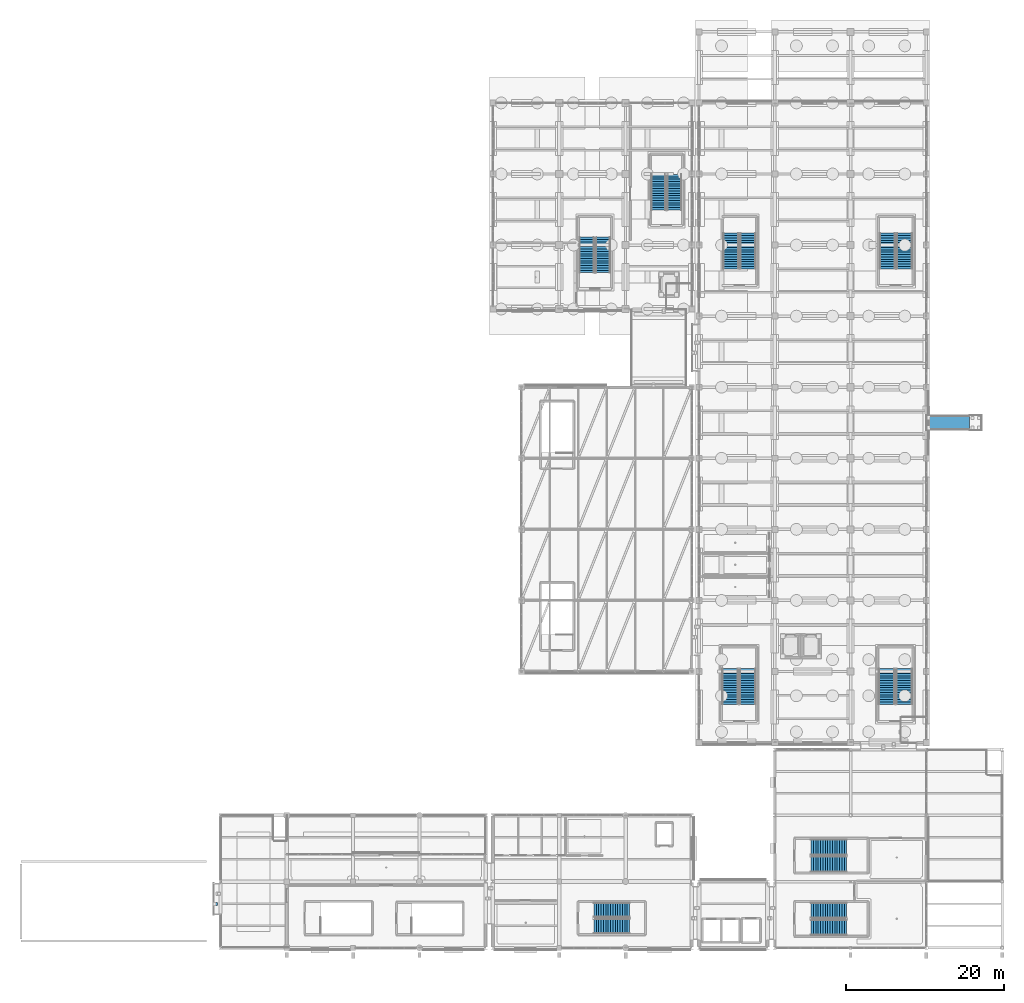
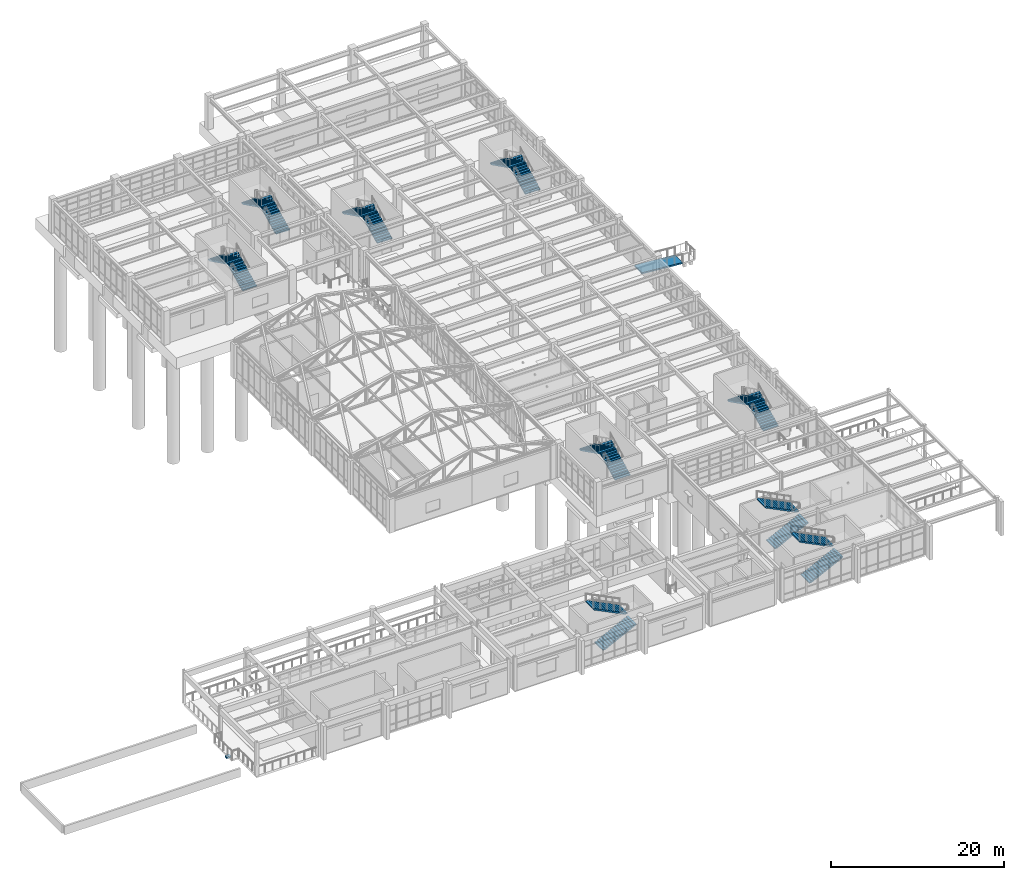
# One storey, part 116 of 139: 18 stair flights, 1 discrete accessory, 1 ramp flight, 10 elements without a shape of their own.
"""IFC4 building model written with IfcOpenShell, lengths in metres."""

from ifc_helpers import new_model, si_unit, direction, frame, origin, origin_2d, place, context, subcontext, project, spatial, polyline, rectangle, outline, extrude, material, layer, layer_set, type_object, element, aggregate, save


model = new_model("IFC4")

# Units and contexts
model_context = context("Model", 3, precision=1e-05, world=origin(), true_north=direction((0.0, 1.0)))
body_context = subcontext(model_context, "Body", "Model", "MODEL_VIEW")
ifc_project = project(units=[si_unit("LENGTHUNIT", "METRE"), si_unit("AREAUNIT", "SQUARE_METRE"), si_unit("VOLUMEUNIT", "CUBIC_METRE"), si_unit("PLANEANGLEUNIT", "RADIAN"), si_unit("MASSUNIT", "GRAM", prefix="KILO")], contexts=[model_context])

# Site, building, storey
site_placement = place(None, origin())
site = spatial("IfcSite", under=ifc_project, at=site_placement, CompositionType="ELEMENT")
building_placement = place(site_placement, origin())
building = spatial("IfcBuilding", under=site, at=building_placement, Name="Canglan Escarpment Cableway Terminal", CompositionType="ELEMENT")
storey_placement = place(building_placement, frame((0.0, 0.0, 14.39990234375)))
storey = spatial("IfcBuildingStorey", under=building, at=storey_placement, Name="L03", CompositionType="ELEMENT", Elevation=14.39990234375)

# Stair, stair flights
ifc_material_1 = material(Name="Concrete C40", Category="concrete")
stair_type_1 = type_object("IfcStairType", Name="STR-DOGLEG-1850", PredefinedType="HALF_TURN_STAIR", material=ifc_material_1)
stair_1_placement = place(storey_placement, origin())
stair_1 = element("IfcStair", 1, at=stair_1_placement, inside=storey, type_object=stair_type_1, Name="L03 Protected Exit Stair ST-18", PredefinedType="HALF_TURN_STAIR")
ifc_layer_1 = layer(ifc_material_1, 0.14990234375, Name="Concrete C40")
ifc_layer_set_1 = layer_set([ifc_layer_1], Name="Concrete C40")
stair_flight_type_1 = type_object("IfcStairFlightType", Name="SFL-STRAIGHT-1850", PredefinedType="STRAIGHT", material=ifc_layer_set_1)
stair_flight_1_placement = place(storey_placement, frame((134.47509765625, 101.449951171875, 0.0), z_axis=(0.0, 0.0, 1.0), x_axis=(0.0, 1.0, 0.0)))
stair_flight_1 = element("IfcStairFlight", 2, at=stair_flight_1_placement, type_object=stair_flight_type_1, Name="ST-18 flight 1", NumberOfRisers=16, NumberOfTreads=15, PredefinedType="STRAIGHT", RiserHeight=0.15, TreadLength=0.3, context=body_context, shape_type="SweptSolid", body=[
    extrude(outline(polyline([(0.0, 0.0), (0.0, 0.14990234375), (0.300048828125, 0.14990234375), (0.300048828125, 0.300048828125), (0.60009765625, 0.300048828125), (0.60009765625, 0.449951171875), (0.89990234375, 0.449951171875), (0.89990234375, 0.60009765625), (1.199951171875, 0.60009765625), (1.199951171875, 0.75), (1.5, 0.75), (1.5, 0.89990234375), (1.800048828125, 0.89990234375), (1.800048828125, 1.050048828125), (2.10009765625, 1.050048828125), (2.10009765625, 1.199951171875), (2.39990234375, 1.199951171875), (2.39990234375, 1.35009765625), (2.699951171875, 1.35009765625), (2.699951171875, 1.5), (3.0, 1.5), (3.0, 1.64990234375), (3.300048828125, 1.64990234375), (3.300048828125, 1.800048828125), (3.60009765625, 1.800048828125), (3.60009765625, 1.949951171875), (3.89990234375, 1.949951171875), (3.89990234375, 2.10009765625), (4.199951171875, 2.10009765625), (4.199951171875, 2.25), (4.5, 2.25), (4.5, 2.39990234375), (4.5, 2.08251953125), (0.335205078125, 0.0), (0.0, 0.0)])), frame((0.0, 0.925048828125, 0.0), z_axis=(0.0, -1.0, 0.0), x_axis=(1.0, 0.0, 0.0)), (0.0, 0.0, 1.0), 1.85009765625),
])
stair_flight_2_placement = place(storey_placement, frame((132.47509765625, 105.949951171875, 2.400146484375), z_axis=(0.0, 0.0, 1.0), x_axis=(0.0, -1.0, 0.0)))
stair_flight_2 = element("IfcStairFlight", 3, at=stair_flight_2_placement, type_object=stair_flight_type_1, Name="ST-18 flight 2", NumberOfRisers=16, NumberOfTreads=15, PredefinedType="STRAIGHT", RiserHeight=0.15, TreadLength=0.3, context=body_context, shape_type="SweptSolid", body=[
    extrude(outline(polyline([(0.0, 0.0), (0.0, 0.14990234375), (0.300048828125, 0.14990234375), (0.300048828125, 0.300048828125), (0.60009765625, 0.300048828125), (0.60009765625, 0.449951171875), (0.89990234375, 0.449951171875), (0.89990234375, 0.60009765625), (1.199951171875, 0.60009765625), (1.199951171875, 0.75), (1.5, 0.75), (1.5, 0.89990234375), (1.800048828125, 0.89990234375), (1.800048828125, 1.050048828125), (2.10009765625, 1.050048828125), (2.10009765625, 1.199951171875), (2.39990234375, 1.199951171875), (2.39990234375, 1.35009765625), (2.699951171875, 1.35009765625), (2.699951171875, 1.5), (3.0, 1.5), (3.0, 1.64990234375), (3.300048828125, 1.64990234375), (3.300048828125, 1.800048828125), (3.60009765625, 1.800048828125), (3.60009765625, 1.949951171875), (3.89990234375, 1.949951171875), (3.89990234375, 2.10009765625), (4.199951171875, 2.10009765625), (4.199951171875, 2.25), (4.5, 2.25), (4.5, 2.39990234375), (4.5, 2.08251953125), (0.335205078125, 0.0), (0.0, 0.0)])), frame((0.0, 0.925048828125, 0.0), z_axis=(0.0, -1.0, 0.0), x_axis=(1.0, 0.0, 0.0)), (0.0, 0.0, 1.0), 1.85009765625),
])
aggregate(stair_1, [stair_flight_1, stair_flight_2])

stair_type_2 = type_object("IfcStairType", Name="STR-DOGLEG-1900", PredefinedType="HALF_TURN_STAIR", material=ifc_material_1)
stair_2_placement = place(storey_placement, origin())
stair_2 = element("IfcStair", 4, at=stair_2_placement, inside=storey, type_object=stair_type_2, Name="L03 Protected Exit Stair ST-07", PredefinedType="HALF_TURN_STAIR")
ifc_layer_2 = layer(ifc_material_1, 0.14990234375, Name="Concrete C40")
ifc_layer_set_2 = layer_set([ifc_layer_2], Name="Concrete C40")
stair_flight_type_2 = type_object("IfcStairFlightType", Name="SFL-STRAIGHT-1900", PredefinedType="STRAIGHT", material=ifc_layer_set_2)
stair_flight_3_placement = place(storey_placement, frame((124.300048828125, 10.75, 0.0), z_axis=(0.0, 0.0, 1.0), x_axis=(1.0, 0.0, 0.0)))
stair_flight_3 = element("IfcStairFlight", 5, at=stair_flight_3_placement, type_object=stair_flight_type_2, Name="ST-07 flight 1", NumberOfRisers=16, NumberOfTreads=15, PredefinedType="STRAIGHT", RiserHeight=0.15, TreadLength=0.3, context=body_context, shape_type="SweptSolid", body=[
    extrude(outline(polyline([(0.0, 0.0), (0.0, 0.14990234375), (0.300048828125, 0.14990234375), (0.300048828125, 0.300048828125), (0.60009765625, 0.300048828125), (0.60009765625, 0.449951171875), (0.89990234375, 0.449951171875), (0.89990234375, 0.60009765625), (1.199951171875, 0.60009765625), (1.199951171875, 0.75), (1.5, 0.75), (1.5, 0.89990234375), (1.800048828125, 0.89990234375), (1.800048828125, 1.050048828125), (2.10009765625, 1.050048828125), (2.10009765625, 1.199951171875), (2.39990234375, 1.199951171875), (2.39990234375, 1.35009765625), (2.699951171875, 1.35009765625), (2.699951171875, 1.5), (3.0, 1.5), (3.0, 1.64990234375), (3.300048828125, 1.64990234375), (3.300048828125, 1.800048828125), (3.60009765625, 1.800048828125), (3.60009765625, 1.949951171875), (3.89990234375, 1.949951171875), (3.89990234375, 2.10009765625), (4.199951171875, 2.10009765625), (4.199951171875, 2.25), (4.5, 2.25), (4.5, 2.39990234375), (4.5, 2.08251953125), (0.335205078125, 0.0), (0.0, 0.0)])), frame((0.0, 0.949951171875, 0.0), z_axis=(0.0, -1.0, 0.0), x_axis=(1.0, 0.0, 0.0)), (0.0, 0.0, 1.0), 1.89990234375),
])
stair_flight_4_placement = place(storey_placement, frame((128.800048828125, 12.800048828125, 2.400146484375), z_axis=(0.0, 0.0, 1.0), x_axis=(-1.0, 0.0, 0.0)))
stair_flight_4 = element("IfcStairFlight", 6, at=stair_flight_4_placement, type_object=stair_flight_type_2, Name="ST-07 flight 2", NumberOfRisers=16, NumberOfTreads=15, PredefinedType="STRAIGHT", RiserHeight=0.15, TreadLength=0.3, context=body_context, shape_type="SweptSolid", body=[
    extrude(outline(polyline([(0.0, 0.0), (0.0, 0.14990234375), (0.300048828125, 0.14990234375), (0.300048828125, 0.300048828125), (0.60009765625, 0.300048828125), (0.60009765625, 0.449951171875), (0.89990234375, 0.449951171875), (0.89990234375, 0.60009765625), (1.199951171875, 0.60009765625), (1.199951171875, 0.75), (1.5, 0.75), (1.5, 0.89990234375), (1.800048828125, 0.89990234375), (1.800048828125, 1.050048828125), (2.10009765625, 1.050048828125), (2.10009765625, 1.199951171875), (2.39990234375, 1.199951171875), (2.39990234375, 1.35009765625), (2.699951171875, 1.35009765625), (2.699951171875, 1.5), (3.0, 1.5), (3.0, 1.64990234375), (3.300048828125, 1.64990234375), (3.300048828125, 1.800048828125), (3.60009765625, 1.800048828125), (3.60009765625, 1.949951171875), (3.89990234375, 1.949951171875), (3.89990234375, 2.10009765625), (4.199951171875, 2.10009765625), (4.199951171875, 2.25), (4.5, 2.25), (4.5, 2.39990234375), (4.5, 2.08251953125), (0.335205078125, 0.0), (0.0, 0.0)])), frame((0.0, 0.949951171875, 0.0), z_axis=(0.0, -1.0, 0.0), x_axis=(1.0, 0.0, 0.0)), (0.0, 0.0, 1.0), 1.89990234375),
])
aggregate(stair_2, [stair_flight_3, stair_flight_4])

stair_3_placement = place(storey_placement, origin())
stair_3 = element("IfcStair", 7, at=stair_3_placement, inside=storey, type_object=stair_type_2, Name="L03 Protected Exit Stair ST-12", PredefinedType="HALF_TURN_STAIR")
stair_flight_5_placement = place(storey_placement, frame((125.449951171875, 93.5, 0.0), z_axis=(0.0, 0.0, 1.0), x_axis=(0.0, 1.0, 0.0)))
stair_flight_5 = element("IfcStairFlight", 8, at=stair_flight_5_placement, type_object=stair_flight_type_2, Name="ST-12 flight 1", NumberOfRisers=16, NumberOfTreads=15, PredefinedType="STRAIGHT", RiserHeight=0.15, TreadLength=0.3, context=body_context, shape_type="SweptSolid", body=[
    extrude(outline(polyline([(0.0, 0.0), (0.0, 0.14990234375), (0.300048828125, 0.14990234375), (0.300048828125, 0.300048828125), (0.60009765625, 0.300048828125), (0.60009765625, 0.449951171875), (0.89990234375, 0.449951171875), (0.89990234375, 0.60009765625), (1.199951171875, 0.60009765625), (1.199951171875, 0.75), (1.5, 0.75), (1.5, 0.89990234375), (1.800048828125, 0.89990234375), (1.800048828125, 1.050048828125), (2.10009765625, 1.050048828125), (2.10009765625, 1.199951171875), (2.39990234375, 1.199951171875), (2.39990234375, 1.35009765625), (2.699951171875, 1.35009765625), (2.699951171875, 1.5), (3.0, 1.5), (3.0, 1.64990234375), (3.300048828125, 1.64990234375), (3.300048828125, 1.800048828125), (3.60009765625, 1.800048828125), (3.60009765625, 1.949951171875), (3.89990234375, 1.949951171875), (3.89990234375, 2.10009765625), (4.199951171875, 2.10009765625), (4.199951171875, 2.25), (4.5, 2.25), (4.5, 2.39990234375), (4.5, 2.08251953125), (0.335205078125, 0.0), (0.0, 0.0)])), frame((0.0, 0.949951171875, 0.0), z_axis=(0.0, -1.0, 0.0), x_axis=(1.0, 0.0, 0.0)), (0.0, 0.0, 1.0), 1.89990234375),
])
stair_flight_6_placement = place(storey_placement, frame((123.39990234375, 98.0, 2.400146484375), z_axis=(0.0, 0.0, 1.0), x_axis=(0.0, -1.0, 0.0)))
stair_flight_6 = element("IfcStairFlight", 9, at=stair_flight_6_placement, type_object=stair_flight_type_2, Name="ST-12 flight 2", NumberOfRisers=16, NumberOfTreads=15, PredefinedType="STRAIGHT", RiserHeight=0.15, TreadLength=0.3, context=body_context, shape_type="SweptSolid", body=[
    extrude(outline(polyline([(0.0, 0.0), (0.0, 0.14990234375), (0.300048828125, 0.14990234375), (0.300048828125, 0.300048828125), (0.60009765625, 0.300048828125), (0.60009765625, 0.449951171875), (0.89990234375, 0.449951171875), (0.89990234375, 0.60009765625), (1.199951171875, 0.60009765625), (1.199951171875, 0.75), (1.5, 0.75), (1.5, 0.89990234375), (1.800048828125, 0.89990234375), (1.800048828125, 1.050048828125), (2.10009765625, 1.050048828125), (2.10009765625, 1.199951171875), (2.39990234375, 1.199951171875), (2.39990234375, 1.35009765625), (2.699951171875, 1.35009765625), (2.699951171875, 1.5), (3.0, 1.5), (3.0, 1.64990234375), (3.300048828125, 1.64990234375), (3.300048828125, 1.800048828125), (3.60009765625, 1.800048828125), (3.60009765625, 1.949951171875), (3.89990234375, 1.949951171875), (3.89990234375, 2.10009765625), (4.199951171875, 2.10009765625), (4.199951171875, 2.25), (4.5, 2.25), (4.5, 2.39990234375), (4.5, 2.08251953125), (0.335205078125, 0.0), (0.0, 0.0)])), frame((0.0, 0.949951171875, 0.0), z_axis=(0.0, -1.0, 0.0), x_axis=(1.0, 0.0, 0.0)), (0.0, 0.0, 1.0), 1.89990234375),
])
aggregate(stair_3, [stair_flight_5, stair_flight_6])

stair_type_3 = type_object("IfcStairType", Name="STR-DOGLEG-2000", PredefinedType="HALF_TURN_STAIR", material=ifc_material_1)
stair_4_placement = place(storey_placement, origin())
stair_4 = element("IfcStair", 10, at=stair_4_placement, inside=storey, type_object=stair_type_3, Name="L03 Protected Exit Stair ST-08", PredefinedType="HALF_TURN_STAIR")
ifc_layer_3 = layer(ifc_material_1, 0.14990234375, Name="Concrete C40")
ifc_layer_set_3 = layer_set([ifc_layer_3], Name="Concrete C40")
stair_flight_type_3 = type_object("IfcStairFlightType", Name="SFL-STRAIGHT-2000", PredefinedType="STRAIGHT", material=ifc_layer_set_3)
stair_flight_7_placement = place(storey_placement, frame((151.800048828125, 10.60009765625, 0.0), z_axis=(0.0, 0.0, 1.0), x_axis=(1.0, 0.0, 0.0)))
stair_flight_7 = element("IfcStairFlight", 11, at=stair_flight_7_placement, type_object=stair_flight_type_3, Name="ST-08 flight 1", NumberOfRisers=16, NumberOfTreads=15, PredefinedType="STRAIGHT", RiserHeight=0.15, TreadLength=0.3, context=body_context, shape_type="SweptSolid", body=[
    extrude(outline(polyline([(0.0, 0.0), (0.0, 0.14990234375), (0.300048828125, 0.14990234375), (0.300048828125, 0.300048828125), (0.60009765625, 0.300048828125), (0.60009765625, 0.449951171875), (0.89990234375, 0.449951171875), (0.89990234375, 0.60009765625), (1.199951171875, 0.60009765625), (1.199951171875, 0.75), (1.5, 0.75), (1.5, 0.89990234375), (1.800048828125, 0.89990234375), (1.800048828125, 1.050048828125), (2.10009765625, 1.050048828125), (2.10009765625, 1.199951171875), (2.39990234375, 1.199951171875), (2.39990234375, 1.35009765625), (2.699951171875, 1.35009765625), (2.699951171875, 1.5), (3.0, 1.5), (3.0, 1.64990234375), (3.300048828125, 1.64990234375), (3.300048828125, 1.800048828125), (3.60009765625, 1.800048828125), (3.60009765625, 1.949951171875), (3.89990234375, 1.949951171875), (3.89990234375, 2.10009765625), (4.199951171875, 2.10009765625), (4.199951171875, 2.25), (4.5, 2.25), (4.5, 2.39990234375), (4.5, 2.08251953125), (0.335205078125, 0.0), (0.0, 0.0)])), frame((0.0, 1.0, 0.0), z_axis=(0.0, -1.0, 0.0), x_axis=(1.0, 0.0, 0.0)), (0.0, 0.0, 1.0), 2.0),
])
stair_flight_8_placement = place(storey_placement, frame((156.300048828125, 12.75, 2.400146484375), z_axis=(0.0, 0.0, 1.0), x_axis=(-1.0, 0.0, 0.0)))
stair_flight_8 = element("IfcStairFlight", 12, at=stair_flight_8_placement, type_object=stair_flight_type_3, Name="ST-08 flight 2", NumberOfRisers=16, NumberOfTreads=15, PredefinedType="STRAIGHT", RiserHeight=0.15, TreadLength=0.3, context=body_context, shape_type="SweptSolid", body=[
    extrude(outline(polyline([(0.0, 0.0), (0.0, 0.14990234375), (0.300048828125, 0.14990234375), (0.300048828125, 0.300048828125), (0.60009765625, 0.300048828125), (0.60009765625, 0.449951171875), (0.89990234375, 0.449951171875), (0.89990234375, 0.60009765625), (1.199951171875, 0.60009765625), (1.199951171875, 0.75), (1.5, 0.75), (1.5, 0.89990234375), (1.800048828125, 0.89990234375), (1.800048828125, 1.050048828125), (2.10009765625, 1.050048828125), (2.10009765625, 1.199951171875), (2.39990234375, 1.199951171875), (2.39990234375, 1.35009765625), (2.699951171875, 1.35009765625), (2.699951171875, 1.5), (3.0, 1.5), (3.0, 1.64990234375), (3.300048828125, 1.64990234375), (3.300048828125, 1.800048828125), (3.60009765625, 1.800048828125), (3.60009765625, 1.949951171875), (3.89990234375, 1.949951171875), (3.89990234375, 2.10009765625), (4.199951171875, 2.10009765625), (4.199951171875, 2.25), (4.5, 2.25), (4.5, 2.39990234375), (4.5, 2.08251953125), (0.335205078125, 0.0), (0.0, 0.0)])), frame((0.0, 1.0, 0.0), z_axis=(0.0, -1.0, 0.0), x_axis=(1.0, 0.0, 0.0)), (0.0, 0.0, 1.0), 2.0),
])
aggregate(stair_4, [stair_flight_7, stair_flight_8])

stair_5_placement = place(storey_placement, origin())
stair_5 = element("IfcStair", 13, at=stair_5_placement, inside=storey, type_object=stair_type_3, Name="L03 Protected Exit Stair ST-09", PredefinedType="HALF_TURN_STAIR")
stair_flight_9_placement = place(storey_placement, frame((151.800048828125, 18.60009765625, 0.0), z_axis=(0.0, 0.0, 1.0), x_axis=(1.0, 0.0, 0.0)))
stair_flight_9 = element("IfcStairFlight", 14, at=stair_flight_9_placement, type_object=stair_flight_type_3, Name="ST-09 flight 1", NumberOfRisers=16, NumberOfTreads=15, PredefinedType="STRAIGHT", RiserHeight=0.15, TreadLength=0.3, context=body_context, shape_type="SweptSolid", body=[
    extrude(outline(polyline([(0.0, 0.0), (0.0, 0.14990234375), (0.300048828125, 0.14990234375), (0.300048828125, 0.300048828125), (0.60009765625, 0.300048828125), (0.60009765625, 0.449951171875), (0.89990234375, 0.449951171875), (0.89990234375, 0.60009765625), (1.199951171875, 0.60009765625), (1.199951171875, 0.75), (1.5, 0.75), (1.5, 0.89990234375), (1.800048828125, 0.89990234375), (1.800048828125, 1.050048828125), (2.10009765625, 1.050048828125), (2.10009765625, 1.199951171875), (2.39990234375, 1.199951171875), (2.39990234375, 1.35009765625), (2.699951171875, 1.35009765625), (2.699951171875, 1.5), (3.0, 1.5), (3.0, 1.64990234375), (3.300048828125, 1.64990234375), (3.300048828125, 1.800048828125), (3.60009765625, 1.800048828125), (3.60009765625, 1.949951171875), (3.89990234375, 1.949951171875), (3.89990234375, 2.10009765625), (4.199951171875, 2.10009765625), (4.199951171875, 2.25), (4.5, 2.25), (4.5, 2.39990234375), (4.5, 2.08251953125), (0.335205078125, 0.0), (0.0, 0.0)])), frame((0.0, 1.0, 0.0), z_axis=(0.0, -1.0, 0.0), x_axis=(1.0, 0.0, 0.0)), (0.0, 0.0, 1.0), 2.0),
])
stair_flight_10_placement = place(storey_placement, frame((156.300048828125, 20.75, 2.400146484375), z_axis=(0.0, 0.0, 1.0), x_axis=(-1.0, 0.0, 0.0)))
stair_flight_10 = element("IfcStairFlight", 15, at=stair_flight_10_placement, type_object=stair_flight_type_3, Name="ST-09 flight 2", NumberOfRisers=16, NumberOfTreads=15, PredefinedType="STRAIGHT", RiserHeight=0.15, TreadLength=0.3, context=body_context, shape_type="SweptSolid", body=[
    extrude(outline(polyline([(0.0, 0.0), (0.0, 0.14990234375), (0.300048828125, 0.14990234375), (0.300048828125, 0.300048828125), (0.60009765625, 0.300048828125), (0.60009765625, 0.449951171875), (0.89990234375, 0.449951171875), (0.89990234375, 0.60009765625), (1.199951171875, 0.60009765625), (1.199951171875, 0.75), (1.5, 0.75), (1.5, 0.89990234375), (1.800048828125, 0.89990234375), (1.800048828125, 1.050048828125), (2.10009765625, 1.050048828125), (2.10009765625, 1.199951171875), (2.39990234375, 1.199951171875), (2.39990234375, 1.35009765625), (2.699951171875, 1.35009765625), (2.699951171875, 1.5), (3.0, 1.5), (3.0, 1.64990234375), (3.300048828125, 1.64990234375), (3.300048828125, 1.800048828125), (3.60009765625, 1.800048828125), (3.60009765625, 1.949951171875), (3.89990234375, 1.949951171875), (3.89990234375, 2.10009765625), (4.199951171875, 2.10009765625), (4.199951171875, 2.25), (4.5, 2.25), (4.5, 2.39990234375), (4.5, 2.08251953125), (0.335205078125, 0.0), (0.0, 0.0)])), frame((0.0, 1.0, 0.0), z_axis=(0.0, -1.0, 0.0), x_axis=(1.0, 0.0, 0.0)), (0.0, 0.0, 1.0), 2.0),
])
aggregate(stair_5, [stair_flight_9, stair_flight_10])

stair_6_placement = place(storey_placement, origin())
stair_6 = element("IfcStair", 16, at=stair_6_placement, inside=storey, type_object=stair_type_3, Name="L03 Protected Exit Stair ST-16", PredefinedType="HALF_TURN_STAIR")
stair_flight_11_placement = place(storey_placement, frame((143.800048828125, 94.0, 0.0), z_axis=(0.0, 0.0, 1.0), x_axis=(0.0, 1.0, 0.0)))
stair_flight_11 = element("IfcStairFlight", 17, at=stair_flight_11_placement, type_object=stair_flight_type_3, Name="ST-16 flight 1", NumberOfRisers=16, NumberOfTreads=15, PredefinedType="STRAIGHT", RiserHeight=0.15, TreadLength=0.3, context=body_context, shape_type="SweptSolid", body=[
    extrude(outline(polyline([(0.0, 0.0), (0.0, 0.14990234375), (0.300048828125, 0.14990234375), (0.300048828125, 0.300048828125), (0.60009765625, 0.300048828125), (0.60009765625, 0.449951171875), (0.89990234375, 0.449951171875), (0.89990234375, 0.60009765625), (1.199951171875, 0.60009765625), (1.199951171875, 0.75), (1.5, 0.75), (1.5, 0.89990234375), (1.800048828125, 0.89990234375), (1.800048828125, 1.050048828125), (2.10009765625, 1.050048828125), (2.10009765625, 1.199951171875), (2.39990234375, 1.199951171875), (2.39990234375, 1.35009765625), (2.699951171875, 1.35009765625), (2.699951171875, 1.5), (3.0, 1.5), (3.0, 1.64990234375), (3.300048828125, 1.64990234375), (3.300048828125, 1.800048828125), (3.60009765625, 1.800048828125), (3.60009765625, 1.949951171875), (3.89990234375, 1.949951171875), (3.89990234375, 2.10009765625), (4.199951171875, 2.10009765625), (4.199951171875, 2.25), (4.5, 2.25), (4.5, 2.39990234375), (4.5, 2.08251953125), (0.335205078125, 0.0), (0.0, 0.0)])), frame((0.0, 1.0, 0.0), z_axis=(0.0, -1.0, 0.0), x_axis=(1.0, 0.0, 0.0)), (0.0, 0.0, 1.0), 2.0),
])
stair_flight_12_placement = place(storey_placement, frame((141.64990234375, 98.5, 2.400146484375), z_axis=(0.0, 0.0, 1.0), x_axis=(0.0, -1.0, 0.0)))
stair_flight_12 = element("IfcStairFlight", 18, at=stair_flight_12_placement, type_object=stair_flight_type_3, Name="ST-16 flight 2", NumberOfRisers=16, NumberOfTreads=15, PredefinedType="STRAIGHT", RiserHeight=0.15, TreadLength=0.3, context=body_context, shape_type="SweptSolid", body=[
    extrude(outline(polyline([(0.0, 0.0), (0.0, 0.14990234375), (0.300048828125, 0.14990234375), (0.300048828125, 0.300048828125), (0.60009765625, 0.300048828125), (0.60009765625, 0.449951171875), (0.89990234375, 0.449951171875), (0.89990234375, 0.60009765625), (1.199951171875, 0.60009765625), (1.199951171875, 0.75), (1.5, 0.75), (1.5, 0.89990234375), (1.800048828125, 0.89990234375), (1.800048828125, 1.050048828125), (2.10009765625, 1.050048828125), (2.10009765625, 1.199951171875), (2.39990234375, 1.199951171875), (2.39990234375, 1.35009765625), (2.699951171875, 1.35009765625), (2.699951171875, 1.5), (3.0, 1.5), (3.0, 1.64990234375), (3.300048828125, 1.64990234375), (3.300048828125, 1.800048828125), (3.60009765625, 1.800048828125), (3.60009765625, 1.949951171875), (3.89990234375, 1.949951171875), (3.89990234375, 2.10009765625), (4.199951171875, 2.10009765625), (4.199951171875, 2.25), (4.5, 2.25), (4.5, 2.39990234375), (4.5, 2.08251953125), (0.335205078125, 0.0), (0.0, 0.0)])), frame((0.0, 1.0, 0.0), z_axis=(0.0, -1.0, 0.0), x_axis=(1.0, 0.0, 0.0)), (0.0, 0.0, 1.0), 2.0),
])
aggregate(stair_6, [stair_flight_11, stair_flight_12])

stair_7_placement = place(storey_placement, origin())
stair_7 = element("IfcStair", 19, at=stair_7_placement, inside=storey, type_object=stair_type_3, Name="L03 Protected Exit Stair ST-17", PredefinedType="HALF_TURN_STAIR")
stair_flight_13_placement = place(storey_placement, frame((163.60009765625, 94.0, 0.0), z_axis=(0.0, 0.0, 1.0), x_axis=(0.0, 1.0, 0.0)))
stair_flight_13 = element("IfcStairFlight", 20, at=stair_flight_13_placement, type_object=stair_flight_type_3, Name="ST-17 flight 1", NumberOfRisers=16, NumberOfTreads=15, PredefinedType="STRAIGHT", RiserHeight=0.15, TreadLength=0.3, context=body_context, shape_type="SweptSolid", body=[
    extrude(outline(polyline([(0.0, 0.0), (0.0, 0.14990234375), (0.300048828125, 0.14990234375), (0.300048828125, 0.300048828125), (0.60009765625, 0.300048828125), (0.60009765625, 0.449951171875), (0.89990234375, 0.449951171875), (0.89990234375, 0.60009765625), (1.199951171875, 0.60009765625), (1.199951171875, 0.75), (1.5, 0.75), (1.5, 0.89990234375), (1.800048828125, 0.89990234375), (1.800048828125, 1.050048828125), (2.10009765625, 1.050048828125), (2.10009765625, 1.199951171875), (2.39990234375, 1.199951171875), (2.39990234375, 1.35009765625), (2.699951171875, 1.35009765625), (2.699951171875, 1.5), (3.0, 1.5), (3.0, 1.64990234375), (3.300048828125, 1.64990234375), (3.300048828125, 1.800048828125), (3.60009765625, 1.800048828125), (3.60009765625, 1.949951171875), (3.89990234375, 1.949951171875), (3.89990234375, 2.10009765625), (4.199951171875, 2.10009765625), (4.199951171875, 2.25), (4.5, 2.25), (4.5, 2.39990234375), (4.5, 2.08251953125), (0.335205078125, 0.0), (0.0, 0.0)])), frame((0.0, 1.0, 0.0), z_axis=(0.0, -1.0, 0.0), x_axis=(1.0, 0.0, 0.0)), (0.0, 0.0, 1.0), 2.0),
])
stair_flight_14_placement = place(storey_placement, frame((161.449951171875, 98.5, 2.400146484375), z_axis=(0.0, 0.0, 1.0), x_axis=(0.0, -1.0, 0.0)))
stair_flight_14 = element("IfcStairFlight", 21, at=stair_flight_14_placement, type_object=stair_flight_type_3, Name="ST-17 flight 2", NumberOfRisers=16, NumberOfTreads=15, PredefinedType="STRAIGHT", RiserHeight=0.15, TreadLength=0.3, context=body_context, shape_type="SweptSolid", body=[
    extrude(outline(polyline([(0.0, 0.0), (0.0, 0.14990234375), (0.300048828125, 0.14990234375), (0.300048828125, 0.300048828125), (0.60009765625, 0.300048828125), (0.60009765625, 0.449951171875), (0.89990234375, 0.449951171875), (0.89990234375, 0.60009765625), (1.199951171875, 0.60009765625), (1.199951171875, 0.75), (1.5, 0.75), (1.5, 0.89990234375), (1.800048828125, 0.89990234375), (1.800048828125, 1.050048828125), (2.10009765625, 1.050048828125), (2.10009765625, 1.199951171875), (2.39990234375, 1.199951171875), (2.39990234375, 1.35009765625), (2.699951171875, 1.35009765625), (2.699951171875, 1.5), (3.0, 1.5), (3.0, 1.64990234375), (3.300048828125, 1.64990234375), (3.300048828125, 1.800048828125), (3.60009765625, 1.800048828125), (3.60009765625, 1.949951171875), (3.89990234375, 1.949951171875), (3.89990234375, 2.10009765625), (4.199951171875, 2.10009765625), (4.199951171875, 2.25), (4.5, 2.25), (4.5, 2.39990234375), (4.5, 2.08251953125), (0.335205078125, 0.0), (0.0, 0.0)])), frame((0.0, 1.0, 0.0), z_axis=(0.0, -1.0, 0.0), x_axis=(1.0, 0.0, 0.0)), (0.0, 0.0, 1.0), 2.0),
])
aggregate(stair_7, [stair_flight_13, stair_flight_14])

stair_type_4 = type_object("IfcStairType", Name="STR-DOGLEG-2050", PredefinedType="HALF_TURN_STAIR", material=ifc_material_1)
stair_8_placement = place(storey_placement, origin())
stair_8 = element("IfcStair", 22, at=stair_8_placement, inside=storey, type_object=stair_type_4, Name="L03 Protected Exit Stair ST-13", PredefinedType="HALF_TURN_STAIR")
ifc_layer_4 = layer(ifc_material_1, 0.14990234375, Name="Concrete C40")
ifc_layer_set_4 = layer_set([ifc_layer_4], Name="Concrete C40")
stair_flight_type_4 = type_object("IfcStairFlightType", Name="SFL-STRAIGHT-2050", PredefinedType="STRAIGHT", material=ifc_layer_set_4)
stair_flight_15_placement = place(storey_placement, frame((143.77490234375, 38.85009765625, 0.0), z_axis=(0.0, 0.0, 1.0), x_axis=(0.0, 1.0, 0.0)))
stair_flight_15 = element("IfcStairFlight", 23, at=stair_flight_15_placement, type_object=stair_flight_type_4, Name="ST-13 flight 1", NumberOfRisers=16, NumberOfTreads=15, PredefinedType="STRAIGHT", RiserHeight=0.15, TreadLength=0.3, context=body_context, shape_type="SweptSolid", body=[
    extrude(outline(polyline([(0.0, 0.0), (0.0, 0.14990234375), (0.300048828125, 0.14990234375), (0.300048828125, 0.300048828125), (0.60009765625, 0.300048828125), (0.60009765625, 0.449951171875), (0.89990234375, 0.449951171875), (0.89990234375, 0.60009765625), (1.199951171875, 0.60009765625), (1.199951171875, 0.75), (1.5, 0.75), (1.5, 0.89990234375), (1.800048828125, 0.89990234375), (1.800048828125, 1.050048828125), (2.10009765625, 1.050048828125), (2.10009765625, 1.199951171875), (2.39990234375, 1.199951171875), (2.39990234375, 1.35009765625), (2.699951171875, 1.35009765625), (2.699951171875, 1.5), (3.0, 1.5), (3.0, 1.64990234375), (3.300048828125, 1.64990234375), (3.300048828125, 1.800048828125), (3.60009765625, 1.800048828125), (3.60009765625, 1.949951171875), (3.89990234375, 1.949951171875), (3.89990234375, 2.10009765625), (4.199951171875, 2.10009765625), (4.199951171875, 2.25), (4.5, 2.25), (4.5, 2.39990234375), (4.5, 2.08251953125), (0.335205078125, 0.0), (0.0, 0.0)])), frame((0.0, 1.02490234375, 0.0), z_axis=(0.0, -1.0, 0.0), x_axis=(1.0, 0.0, 0.0)), (0.0, 0.0, 1.0), 2.050048828125),
])
stair_flight_16_placement = place(storey_placement, frame((141.574951171875, 43.35009765625, 2.400146484375), z_axis=(0.0, 0.0, 1.0), x_axis=(0.0, -1.0, 0.0)))
stair_flight_16 = element("IfcStairFlight", 24, at=stair_flight_16_placement, type_object=stair_flight_type_4, Name="ST-13 flight 2", NumberOfRisers=16, NumberOfTreads=15, PredefinedType="STRAIGHT", RiserHeight=0.15, TreadLength=0.3, context=body_context, shape_type="SweptSolid", body=[
    extrude(outline(polyline([(0.0, 0.0), (0.0, 0.14990234375), (0.300048828125, 0.14990234375), (0.300048828125, 0.300048828125), (0.60009765625, 0.300048828125), (0.60009765625, 0.449951171875), (0.89990234375, 0.449951171875), (0.89990234375, 0.60009765625), (1.199951171875, 0.60009765625), (1.199951171875, 0.75), (1.5, 0.75), (1.5, 0.89990234375), (1.800048828125, 0.89990234375), (1.800048828125, 1.050048828125), (2.10009765625, 1.050048828125), (2.10009765625, 1.199951171875), (2.39990234375, 1.199951171875), (2.39990234375, 1.35009765625), (2.699951171875, 1.35009765625), (2.699951171875, 1.5), (3.0, 1.5), (3.0, 1.64990234375), (3.300048828125, 1.64990234375), (3.300048828125, 1.800048828125), (3.60009765625, 1.800048828125), (3.60009765625, 1.949951171875), (3.89990234375, 1.949951171875), (3.89990234375, 2.10009765625), (4.199951171875, 2.10009765625), (4.199951171875, 2.25), (4.5, 2.25), (4.5, 2.39990234375), (4.5, 2.08251953125), (0.335205078125, 0.0), (0.0, 0.0)])), frame((0.0, 1.02490234375, 0.0), z_axis=(0.0, -1.0, 0.0), x_axis=(1.0, 0.0, 0.0)), (0.0, 0.0, 1.0), 2.050048828125),
])
aggregate(stair_8, [stair_flight_15, stair_flight_16])

stair_9_placement = place(storey_placement, origin())
stair_9 = element("IfcStair", 25, at=stair_9_placement, inside=storey, type_object=stair_type_4, Name="L03 Protected Exit Stair ST-15", PredefinedType="HALF_TURN_STAIR")
stair_flight_17_placement = place(storey_placement, frame((163.574951171875, 38.85009765625, 0.0), z_axis=(0.0, 0.0, 1.0), x_axis=(0.0, 1.0, 0.0)))
stair_flight_17 = element("IfcStairFlight", 26, at=stair_flight_17_placement, type_object=stair_flight_type_4, Name="ST-15 flight 1", NumberOfRisers=16, NumberOfTreads=15, PredefinedType="STRAIGHT", RiserHeight=0.15, TreadLength=0.3, context=body_context, shape_type="SweptSolid", body=[
    extrude(outline(polyline([(0.0, 0.0), (0.0, 0.14990234375), (0.300048828125, 0.14990234375), (0.300048828125, 0.300048828125), (0.60009765625, 0.300048828125), (0.60009765625, 0.449951171875), (0.89990234375, 0.449951171875), (0.89990234375, 0.60009765625), (1.199951171875, 0.60009765625), (1.199951171875, 0.75), (1.5, 0.75), (1.5, 0.89990234375), (1.800048828125, 0.89990234375), (1.800048828125, 1.050048828125), (2.10009765625, 1.050048828125), (2.10009765625, 1.199951171875), (2.39990234375, 1.199951171875), (2.39990234375, 1.35009765625), (2.699951171875, 1.35009765625), (2.699951171875, 1.5), (3.0, 1.5), (3.0, 1.64990234375), (3.300048828125, 1.64990234375), (3.300048828125, 1.800048828125), (3.60009765625, 1.800048828125), (3.60009765625, 1.949951171875), (3.89990234375, 1.949951171875), (3.89990234375, 2.10009765625), (4.199951171875, 2.10009765625), (4.199951171875, 2.25), (4.5, 2.25), (4.5, 2.39990234375), (4.5, 2.08251953125), (0.335205078125, 0.0), (0.0, 0.0)])), frame((0.0, 1.02490234375, 0.0), z_axis=(0.0, -1.0, 0.0), x_axis=(1.0, 0.0, 0.0)), (0.0, 0.0, 1.0), 2.050048828125),
])
stair_flight_18_placement = place(storey_placement, frame((161.375, 43.35009765625, 2.400146484375), z_axis=(0.0, 0.0, 1.0), x_axis=(0.0, -1.0, 0.0)))
stair_flight_18 = element("IfcStairFlight", 27, at=stair_flight_18_placement, type_object=stair_flight_type_4, Name="ST-15 flight 2", NumberOfRisers=16, NumberOfTreads=15, PredefinedType="STRAIGHT", RiserHeight=0.15, TreadLength=0.3, context=body_context, shape_type="SweptSolid", body=[
    extrude(outline(polyline([(0.0, 0.0), (0.0, 0.14990234375), (0.300048828125, 0.14990234375), (0.300048828125, 0.300048828125), (0.60009765625, 0.300048828125), (0.60009765625, 0.449951171875), (0.89990234375, 0.449951171875), (0.89990234375, 0.60009765625), (1.199951171875, 0.60009765625), (1.199951171875, 0.75), (1.5, 0.75), (1.5, 0.89990234375), (1.800048828125, 0.89990234375), (1.800048828125, 1.050048828125), (2.10009765625, 1.050048828125), (2.10009765625, 1.199951171875), (2.39990234375, 1.199951171875), (2.39990234375, 1.35009765625), (2.699951171875, 1.35009765625), (2.699951171875, 1.5), (3.0, 1.5), (3.0, 1.64990234375), (3.300048828125, 1.64990234375), (3.300048828125, 1.800048828125), (3.60009765625, 1.800048828125), (3.60009765625, 1.949951171875), (3.89990234375, 1.949951171875), (3.89990234375, 2.10009765625), (4.199951171875, 2.10009765625), (4.199951171875, 2.25), (4.5, 2.25), (4.5, 2.39990234375), (4.5, 2.08251953125), (0.335205078125, 0.0), (0.0, 0.0)])), frame((0.0, 1.02490234375, 0.0), z_axis=(0.0, -1.0, 0.0), x_axis=(1.0, 0.0, 0.0)), (0.0, 0.0, 1.0), 2.050048828125),
])
aggregate(stair_9, [stair_flight_17, stair_flight_18])

# Ramp, ramp flight
ramp_type = type_object("IfcRampType", Name="RMP-ACC-1800", PredefinedType="STRAIGHT_RUN_RAMP", material=ifc_material_1)
ramp_placement = place(storey_placement, origin())
ramp = element("IfcRamp", 28, at=ramp_placement, inside=storey, type_object=ramp_type, Name="Accessible Belvedere Court Ramp 6", PredefinedType="STRAIGHT_RUN_RAMP")
ifc_material_2 = material(Name="Bush-hammered non-slip granite on Concrete C40", Category="masonry")
ifc_layer_5 = layer(ifc_material_2, 0.199951171875, Name="Bush-hammered non-slip granite on Concrete C40")
ifc_layer_set_5 = layer_set([ifc_layer_5], Name="Bush-hammered non-slip granite on Concrete C40")
ramp_flight_type = type_object("IfcRampFlightType", Name="RMP-FLT-1800", PredefinedType="STRAIGHT", material=ifc_layer_set_5)
ramp_flight_placement = place(storey_placement, frame((171.830078125, 74.5, -0.449951171875), z_axis=(0.0, 0.0, 1.0), x_axis=(-1.0, 0.0, 0.0)))
ramp_flight = element("IfcRampFlight", 29, at=ramp_flight_placement, type_object=ramp_flight_type, Name="Accessible Belvedere Court Ramp 6 flight", PredefinedType="STRAIGHT", context=body_context, shape_type="SweptSolid", body=[
    extrude(outline(polyline([(0.0, 0.0), (0.0, -0.199951171875), (5.429931640625, 0.25), (5.429931640625, 0.449951171875), (0.0, 0.0)])), frame((0.0, 0.89990234375, 0.0), z_axis=(0.0, -1.0, 0.0), x_axis=(1.0, 0.0, 0.0)), (0.0, 0.0, 1.0), 1.800048828125),
])
aggregate(ramp, [ramp_flight])

# Discrete accessory
ifc_layer_6 = layer(ifc_material_1, 0.239990234375, Name="Concrete C40")
ifc_layer_set_6 = layer_set([ifc_layer_6], Name="Concrete C40")
discrete_accessory_type = type_object("IfcDiscreteAccessoryType", Name="ACC-CORBEL-CB01", PredefinedType="BRACKET", material=ifc_layer_set_6)
discrete_accessory_placement = place(storey_placement, frame((76.360107421875, 13.550048828125, -0.5400390625), z_axis=(0.0, 0.0, 1.0), x_axis=(1.0, 0.0, 0.0)))
element("IfcDiscreteAccessory", 30, at=discrete_accessory_placement, inside=storey, type_object=discrete_accessory_type, Name="Concrete C40 movement-joint corbel bearing ledge CB-01", PredefinedType="BRACKET", context=body_context, shape_type="SweptSolid", body=[
    extrude(rectangle(XDim=0.60009765625, YDim=0.419921875, at=origin_2d()), origin(), (0.0, 0.0, 1.0), 0.239990234375),
])

save(model, "model.ifc")
